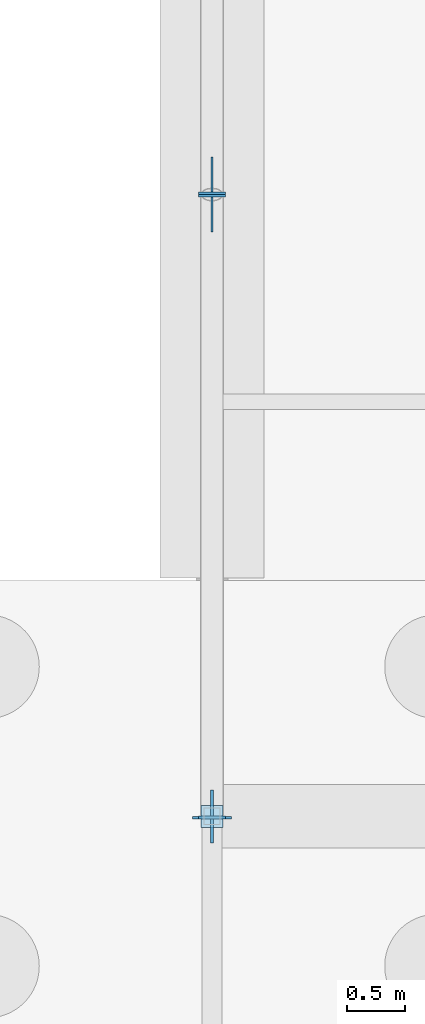
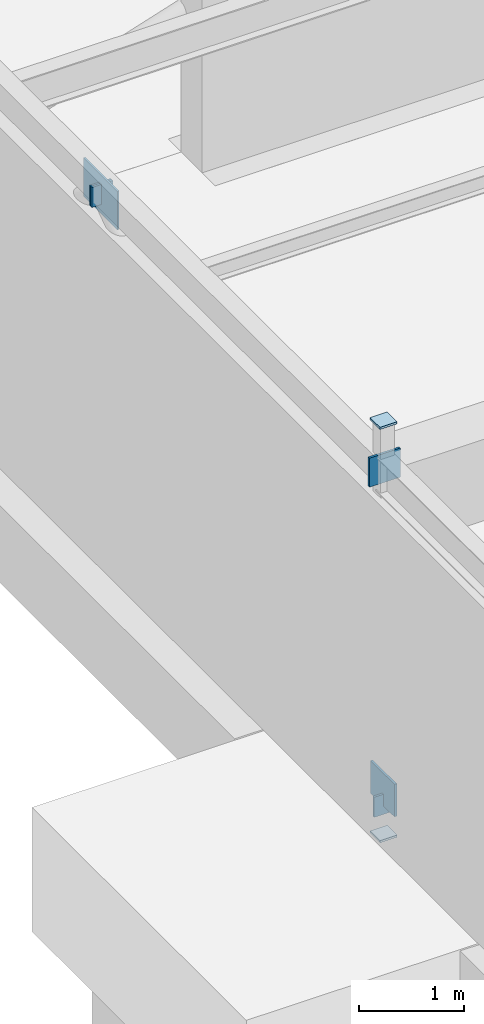
# One storey, part 99 of 136: 8 plates.
"""IFC4 building model written with IfcOpenShell, lengths in metres."""

from ifc_helpers import new_model, si_unit, direction, frame, origin, origin_2d, place, context, subcontext, project, spatial, rectangle, extrude, material, layer, layer_set, type_object, element, save


model = new_model("IFC4")

# Units and contexts
model_context = context("Model", 3, precision=1e-05, world=origin(), true_north=direction((0.0, 1.0)))
body_context = subcontext(model_context, "Body", "Model", "MODEL_VIEW")
ifc_project = project(units=[si_unit("LENGTHUNIT", "METRE"), si_unit("AREAUNIT", "SQUARE_METRE"), si_unit("VOLUMEUNIT", "CUBIC_METRE"), si_unit("PLANEANGLEUNIT", "RADIAN"), si_unit("MASSUNIT", "GRAM", prefix="KILO")], contexts=[model_context])

# Site, building, storey
site_placement = place(None, origin())
site = spatial("IfcSite", under=ifc_project, at=site_placement, CompositionType="ELEMENT")
building_placement = place(site_placement, origin())
building = spatial("IfcBuilding", under=site, at=building_placement, Name="Tarnwether General Hospital", CompositionType="ELEMENT")
storey_placement = place(building_placement, frame((0.0, 0.0, -4.800048828125)))
storey = spatial("IfcBuildingStorey", under=building, at=storey_placement, Name="LG", CompositionType="ELEMENT", Elevation=-4.800048828125)

# Plates
ifc_material_1 = material(Name="Steel Grade 350 (350 MPa)", Category="steel")
ifc_layer_1 = layer(ifc_material_1, 0.02001953125)
ifc_layer_set_1 = layer_set([ifc_layer_1], Name="Steel Grade 350 (350 MPa)")
plate_type_1 = type_object("IfcPlateType", Name="PT-GUS1", PredefinedType="USERDEFINED", material=ifc_layer_set_1)
plate_1_placement = place(storey_placement, frame((0.0, 120.60009765625, 3.96484375), z_axis=(0.0, 0.0, 1.0), x_axis=(0.0, 1.0, 0.0)))
element("IfcPlate", 1, at=plate_1_placement, inside=storey, type_object=plate_type_1, Name="Chevron Brace Apex Gusset Plate 012", ObjectType="GUSSET", PredefinedType="USERDEFINED", context=body_context, shape_type="SweptSolid", body=[
    extrude(rectangle(XDim=0.64990234375, YDim=0.02001953125, at=origin_2d()), origin(), (0.0, 0.0, 1.0), 0.449951171875),
])
ifc_material_2 = material(Name="Steel Grade 350 (350 MPa)", Category="steel")
ifc_layer_2 = layer(ifc_material_2, 0.02490234375)
ifc_layer_set_2 = layer_set([ifc_layer_2], Name="Steel Grade 350 (350 MPa)")
plate_type_2 = type_object("IfcPlateType", Name="PT-GUS2", PredefinedType="USERDEFINED", material=ifc_layer_set_2)
plate_2_placement = place(storey_placement, frame((0.0, 115.199951171875, 0.330078125), z_axis=(0.0, 0.0, 1.0), x_axis=(0.0, 1.0, 0.0)))
element("IfcPlate", 2, at=plate_2_placement, inside=storey, type_object=plate_type_2, Name="Brace Base Gusset Plate 010", ObjectType="GUSSET", PredefinedType="USERDEFINED", context=body_context, shape_type="SweptSolid", body=[
    extrude(rectangle(XDim=0.4599609375, YDim=0.02490234375, at=origin_2d()), origin(), (0.0, 0.0, 1.0), 0.3798828125),
])
for number, where, z_axis, x_axis, name in (
    (3, (0.0, 115.199951171875, -0.02490234375), (0.0, 0.0, 1.0), (1.0, 0.0, 0.0), "Hollow Section Welded End Cap Plate 0027"),
    (4, (0.0, 115.199951171875, 4.800048828125), (0.0, 0.0, 1.0), (1.0, 0.0, 0.0), "Hollow Section Welded End Cap Plate 0028"),
):
    element("IfcPlate", number, at=place(storey_placement, frame(where, z_axis=z_axis, x_axis=x_axis)), inside=storey, type_object=plate_type_2, Name=name, ObjectType="GUSSET", PredefinedType="USERDEFINED", context=body_context, shape_type="SweptSolid", body=[
        extrude(rectangle(XDim=0.18994140625, YDim=0.18994140625, at=origin_2d()), origin(), (0.0, 0.0, 1.0), 0.02490234375),
    ])
plate_3_placement = place(storey_placement, frame((0.0, 115.1875, 4.10986328125), z_axis=(0.0, 0.0, 1.0), x_axis=(0.0, 1.0, 0.0)))
element("IfcPlate", 5, at=plate_3_placement, inside=storey, type_object=plate_type_2, Name="Hollow Section Welded End Cap Plate 0813", ObjectType="GUSSET", PredefinedType="USERDEFINED", context=body_context, shape_type="SweptSolid", body=[
    extrude(rectangle(XDim=0.02490234375, YDim=0.340087890625, at=origin_2d()), origin(), (0.0, 0.0, 1.0), 0.340087890625),
])
for number, where, z_axis, x_axis, name in (
    (6, (0.0, 115.189697265625, 0.23583984375), (0.0, 0.0, 1.0), (0.0, 1.0, 0.0), "Hollow Section Welded End Cap Plate 1187"),
    (7, (0.0, 120.610107421875, 4.080322265625), (0.0, 0.0, 1.0), (0.0, 1.0, 0.0), "Hollow Section Welded End Cap Plate 1188"),
    (8, (0.0, 120.58984375, 4.080322265625), (0.0, 0.0, 1.0), (0.0, -1.0, 0.0), "Hollow Section Welded End Cap Plate 1190"),
):
    element("IfcPlate", number, at=place(storey_placement, frame(where, z_axis=z_axis, x_axis=x_axis)), inside=storey, type_object=plate_type_2, Name=name, ObjectType="GUSSET", PredefinedType="USERDEFINED", context=body_context, shape_type="SweptSolid", body=[
        extrude(rectangle(XDim=0.02490234375, YDim=0.23388671875, at=origin_2d()), origin(), (0.0, 0.0, 1.0), 0.23388671875),
    ])

save(model, "model.ifc")
